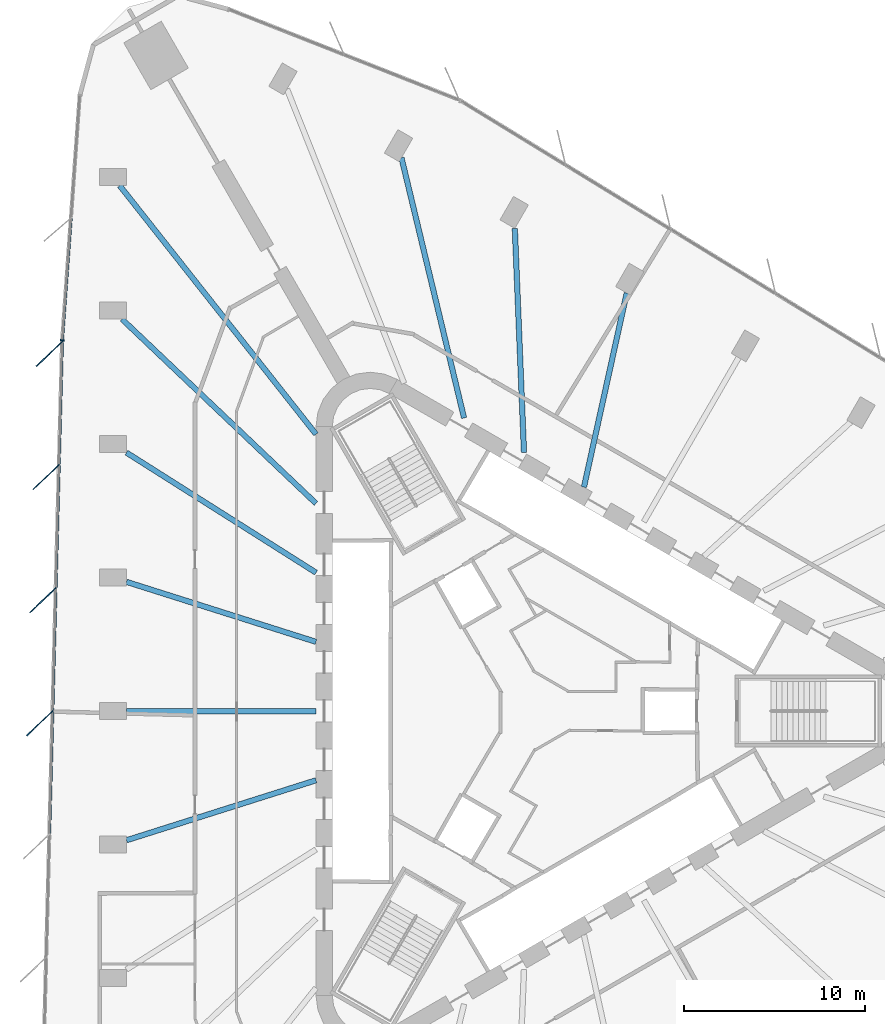
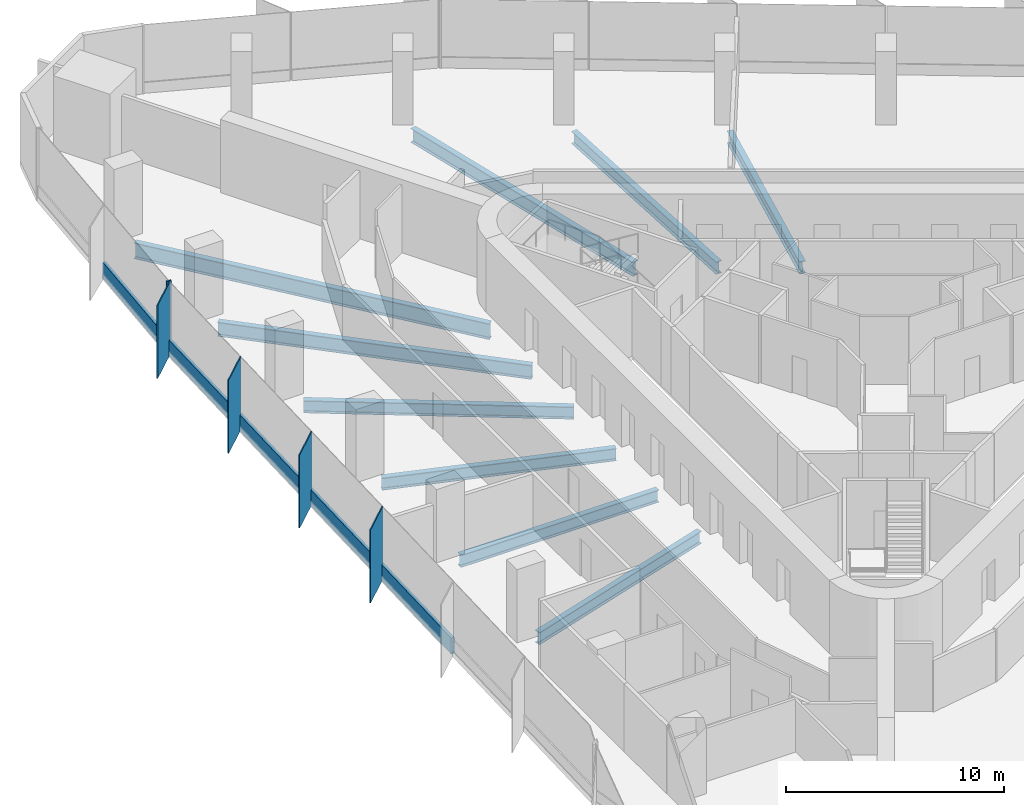
# One storey, part 4 of 13: 10 members, 9 beams, 2 elements without a shape of their own.
"""IFC4 building model written with IfcOpenShell, lengths in metres."""

import ifcopenshell
import ifcopenshell.guid

model = None  # the IFC model being written
_history = None  # IfcOwnerHistory: only IFC2X3 demands one
_inside = {}  # id of a spatial element -> (the spatial element, [elements in it])
_under = {}  # id of a project, library or spatial element -> (it, [spatial elements below it])
_declared = {}  # id of a project -> (the project, [libraries it declares])
_typed = {}  # id of a type object -> (the type object, [elements of that type])
_made_of = {}  # id of a material, layer set ... -> (it, [elements and type objects made of it])


def new_model(schema):
    """Start an empty IFC model of exactly this schema.

    Asked for "IFC4X3", IfcOpenShell would pick the latest addendum, in which some entities
    have other attributes; the version numbers below select the first issue.
    IFC2X3 requires an IfcOwnerHistory on every rooted entity: one is made here for all.
    """
    global model, _history
    if schema == "IFC4X3":
        model = ifcopenshell.file(schema_version=(4, 3, 0, 0))
    else:
        model = ifcopenshell.file(schema=schema)
    _inside.clear()
    _under.clear()
    _declared.clear()
    _typed.clear()
    _made_of.clear()
    _history = None
    if model.schema == "IFC2X3":
        org = make("IfcOrganization", Name="unknown")
        user = make(
            "IfcPersonAndOrganization",
            ThePerson=make("IfcPerson", FamilyName="unknown"),
            TheOrganization=org,
        )
        app = make(
            "IfcApplication",
            ApplicationDeveloper=org,
            Version="unknown",
            ApplicationFullName="unknown",
            ApplicationIdentifier="unknown",
        )
        _history = make(
            "IfcOwnerHistory",
            OwningUser=user,
            OwningApplication=app,
            ChangeAction="ADDED",
            CreationDate=0,
        )
    return model


def make(cls, **values):
    """One entity of the class cls with the attributes given. An attribute that is None is left unset."""
    return model.create_entity(
        cls, **{name: value for name, value in values.items() if value is not None}
    )


def rooted(cls, **values):
    """An entity with a GlobalId (a new one), such as an element, a storey or a relation."""
    return make(cls, GlobalId=ifcopenshell.guid.new(), OwnerHistory=_history, **values)


def si_unit(unit_type, name, prefix=None):
    """IfcSIUnit, for example si_unit("LENGTHUNIT", "METRE", prefix="MILLI")."""
    return make("IfcSIUnit", UnitType=unit_type, Prefix=prefix, Name=name)


def assignment(units):
    """IfcUnitAssignment: the units of a project."""
    return None if units is None else make("IfcUnitAssignment", Units=units)


def point(xyz):
    """IfcCartesianPoint."""
    return None if xyz is None else make("IfcCartesianPoint", Coordinates=xyz)


def direction(xyz):
    """IfcDirection."""
    return None if xyz is None else make("IfcDirection", DirectionRatios=xyz)


def frame(location, z_axis=None, x_axis=None):
    """IfcAxis2Placement3D, a coordinate frame: its origin and axes. An axis left out is left unset."""
    return make(
        "IfcAxis2Placement3D",
        Location=point(location),
        Axis=direction(z_axis),
        RefDirection=direction(x_axis),
    )


def frame_2d(location, x_axis=None):
    """IfcAxis2Placement2D, a coordinate frame in the plane: its origin and x axis."""
    return make(
        "IfcAxis2Placement2D", Location=point(location), RefDirection=direction(x_axis)
    )


def origin():
    """The frame at (0, 0, 0) with its axes left unset."""
    return frame((0.0, 0.0, 0.0))


def origin_2d():
    """The frame at (0, 0) in the plane with its x axis left unset."""
    return frame_2d((0.0, 0.0))


def place(relative_to, where):
    """IfcLocalPlacement: puts the frame where relative to a parent placement (None: the world)."""
    return make(
        "IfcLocalPlacement", PlacementRelTo=relative_to, RelativePlacement=where
    )


def context(
    kind, dimensions, precision=None, world=None, true_north=None, identifier=None
):
    """IfcGeometricRepresentationContext, for example the 3D "Model" context."""
    return make(
        "IfcGeometricRepresentationContext",
        ContextIdentifier=identifier,
        ContextType=kind,
        CoordinateSpaceDimension=dimensions,
        Precision=precision,
        WorldCoordinateSystem=world,
        TrueNorth=true_north,
    )


def subcontext(parent, identifier, kind, view, scale=None):
    """IfcGeometricRepresentationSubContext, for example "Body" below "Model"."""
    return make(
        "IfcGeometricRepresentationSubContext",
        ContextIdentifier=identifier,
        ContextType=kind,
        ParentContext=parent,
        TargetScale=scale,
        TargetView=view,
    )


def project(units=None, contexts=None):
    """IfcProject with its units and contexts."""
    return rooted(
        "IfcProject",
        Name="project",
        RepresentationContexts=contexts,
        UnitsInContext=assignment(units),
    )


def spatial(cls, under=None, at=None, **own):
    """A site, building, storey or space (cls), placed at a placement, below another one or the project."""
    s = rooted(cls, ObjectPlacement=at, **own)
    if under is not None:
        _under.setdefault(under.id(), (under, []))[1].append(s)
    return s


def profile(cls, at=None, kind="AREA", **sizes):
    """A parametric profile (cls). Its sizes go by their IFC names, for example OverallWidth=200.0."""
    return make(cls, ProfileType=kind, Position=at, **sizes)


def rectangle(**sizes):
    """IfcRectangleProfileDef."""
    return profile("IfcRectangleProfileDef", **sizes)


def i_section(**sizes):
    """IfcIShapeProfileDef."""
    return profile("IfcIShapeProfileDef", **sizes)


def extrude(swept, where, along, depth):
    """IfcExtrudedAreaSolid: the profile swept, set in the frame where, extruded along a direction by depth."""
    return make(
        "IfcExtrudedAreaSolid",
        SweptArea=swept,
        Position=where,
        ExtrudedDirection=direction(along),
        Depth=depth,
    )


def shape(context_of_items, identifier, shape_type, items):
    """IfcShapeRepresentation: the items that make up one representation, for example the "Body"."""
    return make(
        "IfcShapeRepresentation",
        ContextOfItems=context_of_items,
        RepresentationIdentifier=identifier,
        RepresentationType=shape_type,
        Items=items,
    )


def material(Name=None, Category=None):
    """IfcMaterial."""
    return make("IfcMaterial", Name=Name, Category=Category)


def material_profile(
    of_material, cross_section, Name=None, Category=None, Priority=None
):
    """IfcMaterialProfile: a cross section and its material."""
    return make(
        "IfcMaterialProfile",
        Name=Name,
        Material=of_material,
        Profile=cross_section,
        Priority=Priority,
        Category=Category,
    )


def profile_set(profiles, Name=None, composite=None):
    """IfcMaterialProfileSet."""
    return make(
        "IfcMaterialProfileSet",
        Name=Name,
        MaterialProfiles=profiles,
        CompositeProfile=composite,
    )


def made_of(thing, what):
    """Note that an element or type object is made of a material, layer set ...; save() writes the relation."""
    if what is not None:
        _made_of.setdefault(what.id(), (what, []))[1].append(thing)
    return thing


def type_object(cls, material=None, **own):
    """A type object (cls), such as IfcWallType, which elements share."""
    return made_of(rooted(cls, **own), material)


def element(
    cls,
    number,
    at=None,
    inside=None,
    cuts=None,
    type_object=None,
    material=None,
    context=None,
    identifier="Body",
    shape_type=None,
    held_by="IfcProductDefinitionShape",
    body=None,
    shapes=None,
    **own,
):
    """One element of the class cls, such as IfcWall. Its Tag is "e" and its number.

    at: its placement. inside: the storey or other place that contains it. cuts: it is an
    opening in that element (IfcRelVoidsElement). A single representation is given by context,
    identifier, shape_type and body (its items); several are given by shapes. held_by: the class
    of the entity that holds the representations. save() writes the other relations.
    """
    e = rooted(cls, Tag="e%d" % number, ObjectPlacement=at, **own)
    if body is not None:
        shapes = [shape(context, identifier, shape_type, body)]
    if shapes is not None:
        e.Representation = make(held_by, Representations=shapes)
    if inside is not None:
        _inside.setdefault(inside.id(), (inside, []))[1].append(e)
    if cuts is not None:
        rooted(
            "IfcRelVoidsElement", RelatingBuildingElement=cuts, RelatedOpeningElement=e
        )
    if type_object is not None:
        _typed.setdefault(type_object.id(), (type_object, []))[1].append(e)
    return made_of(e, material)


def aggregate(whole, parts):
    """IfcRelAggregates: a whole, such as a stair, and the parts it consists of."""
    return rooted("IfcRelAggregates", RelatingObject=whole, RelatedObjects=parts)


def save(model, path):
    """Write the relations noted so far, then the file.

    IfcRelAggregates (storeys below a building ...), IfcRelContainedInSpatialStructure (elements
    in a storey), IfcRelDefinesByType, IfcRelAssociatesMaterial and IfcRelDeclares: one each for
    every whole, place, type object, material and project.
    """
    for whole, parts in _under.values():
        aggregate(whole, parts)
    for where, things in _inside.values():
        rooted(
            "IfcRelContainedInSpatialStructure",
            RelatedElements=things,
            RelatingStructure=where,
        )
    for kind, things in _typed.values():
        rooted("IfcRelDefinesByType", RelatedObjects=things, RelatingType=kind)
    for what, things in _made_of.values():
        rooted("IfcRelAssociatesMaterial", RelatedObjects=things, RelatingMaterial=what)
    for by, libraries in _declared.values():
        rooted("IfcRelDeclares", RelatingContext=by, RelatedDefinitions=libraries)
    model.write(path)


model = new_model("IFC4")

# Units and contexts
model_context = context("Model", 3, precision=1e-05, world=origin(), true_north=direction((0.0, 1.0)))
body_context = subcontext(model_context, "Body", "Model", "MODEL_VIEW")
ifc_project = project(units=[si_unit("LENGTHUNIT", "METRE"), si_unit("AREAUNIT", "SQUARE_METRE"), si_unit("VOLUMEUNIT", "CUBIC_METRE"), si_unit("PLANEANGLEUNIT", "RADIAN"), si_unit("MASSUNIT", "GRAM", prefix="KILO")], contexts=[model_context])

# Site, building, storey
site_placement = place(None, origin())
site = spatial("IfcSite", under=ifc_project, at=site_placement, CompositionType="ELEMENT")
building_placement = place(site_placement, origin())
building = spatial("IfcBuilding", under=site, at=building_placement, Name="Tanit Gate Tower", CompositionType="ELEMENT")
storey_placement = place(building_placement, frame((0.0, 0.0, 66.0)))
storey = spatial("IfcBuildingStorey", under=building, at=storey_placement, Name="L12", CompositionType="ELEMENT", Elevation=66.0)

# Curtain wall, members
ifc_material_1 = material(Name="Aluminium bronze anodised and glass", Category="aluminium")
curtain_wall_type = type_object("IfcCurtainWallType", Name="Curtain wall typical low", PredefinedType="NOTDEFINED", material=ifc_material_1)
curtain_wall_1_placement = place(storey_placement, origin())
curtain_wall_1 = element("IfcCurtainWall", 1, at=curtain_wall_1_placement, inside=storey, type_object=curtain_wall_type, Name="Curtain wall L12 W2", PredefinedType="NOTDEFINED")
ifc_material_2 = material(Name="Aluminium bronze anodised", Category="aluminium")
ifc_material_profile_1 = material_profile(ifc_material_2, rectangle(XDim=2.0, YDim=0.055908203125, at=origin_2d()), Name="56x2000 bronze fin mullion")
ifc_profile_set_1 = profile_set([ifc_material_profile_1], Name="Aluminium bronze anodised")
member_type_1 = type_object("IfcMemberType", Name="FIN MULLION 56x2000 bronze", PredefinedType="MULLION", material=ifc_profile_set_1)
member_1_placement = place(storey_placement, frame((-26.86279296875, 19.77392578125, -0.300048828125), z_axis=(0.0, 0.0, 1.0), x_axis=(0.725200158595, 0.688538110764, 0.0)))
member_1 = element("IfcMember", 2, at=member_1_placement, type_object=member_type_1, Name="Fin mullion L12 W2.1", PredefinedType="MULLION", context=body_context, shape_type="SweptSolid", body=[
    extrude(rectangle(XDim=2.0, YDim=0.055908203125, at=origin_2d()), origin(), (0.0, 0.0, 1.0), 4.10009765625),
])
member_2_placement = place(storey_placement, frame((-27.039306640625, 12.95849609375, -0.300048828125), z_axis=(0.0, 0.0, 1.0), x_axis=(0.725200158595, 0.688538110764, 0.0)))
member_2 = element("IfcMember", 3, at=member_2_placement, type_object=member_type_1, Name="Fin mullion L12 W2.2", PredefinedType="MULLION", context=body_context, shape_type="SweptSolid", body=[
    extrude(rectangle(XDim=2.0, YDim=0.055908203125, at=origin_2d()), origin(), (0.0, 0.0, 1.0), 4.10009765625),
])
member_3_placement = place(storey_placement, frame((-27.216064453125, 6.14306640625, -0.300048828125), z_axis=(0.0, 0.0, 1.0), x_axis=(0.725200158595, 0.688538110764, 0.0)))
member_3 = element("IfcMember", 4, at=member_3_placement, type_object=member_type_1, Name="Fin mullion L12 W2.3", PredefinedType="MULLION", context=body_context, shape_type="SweptSolid", body=[
    extrude(rectangle(XDim=2.0, YDim=0.055908203125, at=origin_2d()), origin(), (0.0, 0.0, 1.0), 4.10009765625),
])
member_4_placement = place(storey_placement, frame((-27.392822265625, -0.672119140625, -0.300048828125), z_axis=(0.0, 0.0, 1.0), x_axis=(0.725200158595, 0.688538110764, 0.0)))
member_4 = element("IfcMember", 5, at=member_4_placement, type_object=member_type_1, Name="Fin mullion L12 W2.4", PredefinedType="MULLION", context=body_context, shape_type="SweptSolid", body=[
    extrude(rectangle(XDim=2.0, YDim=0.055908203125, at=origin_2d()), origin(), (0.0, 0.0, 1.0), 4.10009765625),
])

# Curtain wall, member
curtain_wall_2_placement = place(storey_placement, origin())
curtain_wall_2 = element("IfcCurtainWall", 6, at=curtain_wall_2_placement, inside=storey, type_object=curtain_wall_type, Name="Curtain wall L12 W1", PredefinedType="NOTDEFINED")
ifc_material_3 = material(Name="Aluminium bronze anodised", Category="aluminium")
ifc_material_profile_2 = material_profile(ifc_material_3, rectangle(XDim=0.239990234375, YDim=0.080078125, at=origin_2d()), Name="80x240 bronze mullion")
ifc_profile_set_2 = profile_set([ifc_material_profile_2], Name="Aluminium bronze anodised")
member_type_2 = type_object("IfcMemberType", Name="Mullion 80x240 typical low", PredefinedType="MULLION", material=ifc_profile_set_2)
member_5_placement = place(storey_placement, frame((-26.14990234375, 20.52685546875, -0.300048828125), z_axis=(0.0, 0.0, 1.0), x_axis=(0.997446413734, -0.07141884716, 0.0)))
member_5 = element("IfcMember", 7, at=member_5_placement, type_object=member_type_2, Name="Mullion L12 W1.3", PredefinedType="MULLION", context=body_context, shape_type="SweptSolid", body=[
    extrude(rectangle(XDim=0.239990234375, YDim=0.080078125, at=origin_2d()), origin(), (0.0, 0.0, 1.0), 4.10009765625),
])

# Beams
ifc_material_4 = material(Name="Steel S355", Category="steel")
ifc_material_profile_3 = material_profile(ifc_material_4, i_section(OverallWidth=0.300048828125, OverallDepth=0.68994140625, WebThickness=0.014404296875, FlangeThickness=0.027099609375, FilletRadius=0.027099609375, at=origin_2d()), Name="HEA 700")
ifc_profile_set_3 = profile_set([ifc_material_profile_3], Name="Steel S355")
beam_type_1 = type_object("IfcBeamType", Name="RADIAL GIRDER HEA 700 S355", PredefinedType="BEAM", material=ifc_profile_set_3)
for number, where, z_axis, x_axis, name in (
    (8, (-22.594482421875, -7.15380859375, -0.64501953125), (0.953357440279, 0.301843653346, 0.0), (-0.301843653346, 0.953357440279, 0.0), "RADIAL GIRDER"),
    (9, (5.101806640625, 23.144287109375, -0.64501953125), (-0.215262511862, -0.976556220085, 0.0), (0.976556220085, -0.215262511862, 0.0), "RADIAL GIRDER"),
):
    element("IfcBeam", number, at=place(storey_placement, frame(where, z_axis=z_axis, x_axis=x_axis)), inside=storey, type_object=beam_type_1, Name=name, PredefinedType="BEAM", context=body_context, shape_type="SweptSolid", body=[
        extrude(i_section(OverallWidth=0.300048828125, OverallDepth=0.68994140625, WebThickness=0.014404296875, FlangeThickness=0.027099609375, FilletRadius=0.027099609375, at=origin_2d()), origin(), (0.0, 0.0, 1.0), 11.005859375),
    ])
for number, where, z_axis, x_axis, name in (
    (10, (-1.09375, 26.721435546875, -0.64501953125), (0.040888907348, -0.999163698928, 0.0), (0.999163698928, 0.040888907348, 0.0), "RADIAL GIRDER"),
    (11, (-22.594482421875, 14.30810546875, -0.64501953125), (0.844843658907, -0.535013263392, 0.0), (0.535013263392, 0.844843658907, 0.0), "RADIAL GIRDER"),
):
    element("IfcBeam", number, at=place(storey_placement, frame(where, z_axis=z_axis, x_axis=x_axis)), inside=storey, type_object=beam_type_1, Name=name, PredefinedType="BEAM", context=body_context, shape_type="SweptSolid", body=[
        extrude(i_section(OverallWidth=0.300048828125, OverallDepth=0.68994140625, WebThickness=0.014404296875, FlangeThickness=0.027099609375, FilletRadius=0.027099609375, at=origin_2d()), origin(), (0.0, 0.0, 1.0), 12.41943359375),
    ])
beam_1_placement = place(storey_placement, frame((-22.594482421875, 7.15380859375, -0.64501953125), z_axis=(0.953357440279, -0.301843653346, 0.0), x_axis=(0.301843653346, 0.953357440279, 0.0)))
element("IfcBeam", 12, at=beam_1_placement, inside=storey, type_object=beam_type_1, Name="RADIAL GIRDER", PredefinedType="BEAM", context=body_context, shape_type="SweptSolid", body=[
    extrude(i_section(OverallWidth=0.300048828125, OverallDepth=0.68994140625, WebThickness=0.014404296875, FlangeThickness=0.027099609375, FilletRadius=0.027099609375, at=origin_2d()), origin(), (0.0, 0.0, 1.0), 11.005859375),
])
beam_2_placement = place(storey_placement, frame((-22.594482421875, 0.0, -0.64501953125), z_axis=(1.0, 0.0, 0.0), x_axis=(0.0, 1.0, 0.0)))
element("IfcBeam", 13, at=beam_2_placement, inside=storey, type_object=beam_type_1, Name="RADIAL GIRDER", PredefinedType="BEAM", context=body_context, shape_type="SweptSolid", body=[
    extrude(i_section(OverallWidth=0.300048828125, OverallDepth=0.68994140625, WebThickness=0.014404296875, FlangeThickness=0.027099609375, FilletRadius=0.027099609375, at=origin_2d()), origin(), (0.0, 0.0, 1.0), 10.492431640625),
])
ifc_material_5 = material(Name="Steel S355", Category="steel")
ifc_material_profile_4 = material_profile(ifc_material_5, i_section(OverallWidth=0.300048828125, OverallDepth=0.7900390625, WebThickness=0.014892578125, FlangeThickness=0.028076171875, FilletRadius=0.030029296875, at=origin_2d()), Name="HEA 800")
ifc_profile_set_4 = profile_set([ifc_material_profile_4], Name="Steel S355")
beam_type_2 = type_object("IfcBeamType", Name="RADIAL GIRDER HEA 800 S355", PredefinedType="BEAM", material=ifc_profile_set_4)
beam_3_placement = place(storey_placement, frame((-7.3701171875, 30.633544921875, -0.695068359375), z_axis=(0.233918851889, -0.972256124039, 0.0), x_axis=(0.972256124039, 0.233918851889, 0.0)))
element("IfcBeam", 14, at=beam_3_placement, inside=storey, type_object=beam_type_2, Name="RADIAL GIRDER", PredefinedType="BEAM", context=body_context, shape_type="SweptSolid", body=[
    extrude(i_section(OverallWidth=0.300048828125, OverallDepth=0.7900390625, WebThickness=0.014892578125, FlangeThickness=0.028076171875, FilletRadius=0.030029296875, at=origin_2d()), origin(), (0.0, 0.0, 1.0), 14.81640625),
])
beam_4_placement = place(storey_placement, frame((-22.844482421875, 21.69921875, -0.695068359375), z_axis=(0.725048389389, -0.688697925831, 0.0), x_axis=(0.688697925831, 0.725048389389, 0.0)))
element("IfcBeam", 15, at=beam_4_placement, inside=storey, type_object=beam_type_2, Name="RADIAL GIRDER", PredefinedType="BEAM", context=body_context, shape_type="SweptSolid", body=[
    extrude(i_section(OverallWidth=0.300048828125, OverallDepth=0.7900390625, WebThickness=0.014892578125, FlangeThickness=0.028076171875, FilletRadius=0.030029296875, at=origin_2d()), origin(), (0.0, 0.0, 1.0), 14.816162109375),
])
ifc_material_6 = material(Name="Steel S355", Category="steel")
ifc_material_profile_5 = material_profile(ifc_material_6, i_section(OverallWidth=0.300048828125, OverallDepth=0.889892578125, WebThickness=0.01611328125, FlangeThickness=0.030029296875, FilletRadius=0.030029296875, at=origin_2d()), Name="HEA 900")
ifc_profile_set_5 = profile_set([ifc_material_profile_5], Name="Steel S355")
beam_type_3 = type_object("IfcBeamType", Name="RADIAL GIRDER HEA 900 S355", PredefinedType="BEAM", material=ifc_profile_set_5)
beam_5_placement = place(storey_placement, frame((-22.969482421875, 29.0908203125, -0.7451171875), z_axis=(0.619692585411, -0.784844634043, 0.0), x_axis=(0.784844634043, 0.619692585411, 0.0)))
element("IfcBeam", 16, at=beam_5_placement, inside=storey, type_object=beam_type_3, Name="RADIAL GIRDER", PredefinedType="BEAM", context=body_context, shape_type="SweptSolid", body=[
    extrude(i_section(OverallWidth=0.300048828125, OverallDepth=0.889892578125, WebThickness=0.01611328125, FlangeThickness=0.030029296875, FilletRadius=0.030029296875, at=origin_2d()), origin(), (0.0, 0.0, 1.0), 17.536865234375),
])

# Member
ifc_material_7 = material(Name="Aluminium bronze anodised", Category="aluminium")
ifc_material_profile_6 = material_profile(ifc_material_7, rectangle(XDim=0.159912109375, YDim=0.89990234375, at=origin_2d()), Name="160x900 bronze transom")
ifc_profile_set_6 = profile_set([ifc_material_profile_6], Name="Aluminium bronze anodised")
member_type_3 = type_object("IfcMemberType", Name="Transom 160x900 typical low", PredefinedType="USERDEFINED", material=ifc_profile_set_6)
member_6_placement = place(storey_placement, frame((-25.667236328125, 27.270751953125, 0.14990234375), z_axis=(-0.071412256994, -0.997446885579, 0.0), x_axis=(0.997446885579, -0.071412256994, 0.0)))
member_6 = element("IfcMember", 17, at=member_6_placement, type_object=member_type_3, Name="Transom L12 W1.2", ObjectType="TRANSOM", PredefinedType="USERDEFINED", context=body_context, shape_type="SweptSolid", body=[
    extrude(rectangle(XDim=0.159912109375, YDim=0.89990234375, at=origin_2d()), origin(), (0.0, 0.0, 1.0), 6.72119140625),
])

aggregate(curtain_wall_2, [member_5, member_6])

member_7_placement = place(storey_placement, frame((-26.155029296875, 20.406982421875, 0.14990234375), z_axis=(-0.025907427148, -0.999664346278, 0.0), x_axis=(0.999664346278, -0.025907427148, 0.0)))
member_7 = element("IfcMember", 18, at=member_7_placement, type_object=member_type_3, Name="Transom L12 W2.1", ObjectType="TRANSOM", PredefinedType="USERDEFINED", context=body_context, shape_type="SweptSolid", body=[
    extrude(rectangle(XDim=0.159912109375, YDim=0.89990234375, at=origin_2d()), origin(), (0.0, 0.0, 1.0), 6.73779296875),
])

member_8_placement = place(storey_placement, frame((-26.331787109375, 13.591552734375, 0.14990234375), z_axis=(-0.025908365601, -0.999664321956, 0.0), x_axis=(0.999664321956, -0.025908365601, 0.0)))
member_8 = element("IfcMember", 19, at=member_8_placement, type_object=member_type_3, Name="Transom L12 W2.2", ObjectType="TRANSOM", PredefinedType="USERDEFINED", context=body_context, shape_type="SweptSolid", body=[
    extrude(rectangle(XDim=0.159912109375, YDim=0.89990234375, at=origin_2d()), origin(), (0.0, 0.0, 1.0), 6.737548828125),
])

member_9_placement = place(storey_placement, frame((-26.50830078125, 6.776123046875, 0.14990234375), z_axis=(-0.025944576703, -0.999663382814, 0.0), x_axis=(0.999663382814, -0.025944576703, 0.0)))
member_9 = element("IfcMember", 20, at=member_9_placement, type_object=member_type_3, Name="Transom L12 W2.3", ObjectType="TRANSOM", PredefinedType="USERDEFINED", context=body_context, shape_type="SweptSolid", body=[
    extrude(rectangle(XDim=0.159912109375, YDim=0.89990234375, at=origin_2d()), origin(), (0.0, 0.0, 1.0), 6.737548828125),
])

member_10_placement = place(storey_placement, frame((-26.68505859375, -0.039306640625, 0.14990234375), z_axis=(-0.025944576703, -0.999663382814, 0.0), x_axis=(0.999663382814, -0.025944576703, 0.0)))
member_10 = element("IfcMember", 21, at=member_10_placement, type_object=member_type_3, Name="Transom L12 W2.4", ObjectType="TRANSOM", PredefinedType="USERDEFINED", context=body_context, shape_type="SweptSolid", body=[
    extrude(rectangle(XDim=0.159912109375, YDim=0.89990234375, at=origin_2d()), origin(), (0.0, 0.0, 1.0), 6.737548828125),
])

aggregate(curtain_wall_1, [member_1, member_2, member_3, member_4, member_7, member_8, member_9, member_10])

save(model, "model.ifc")
